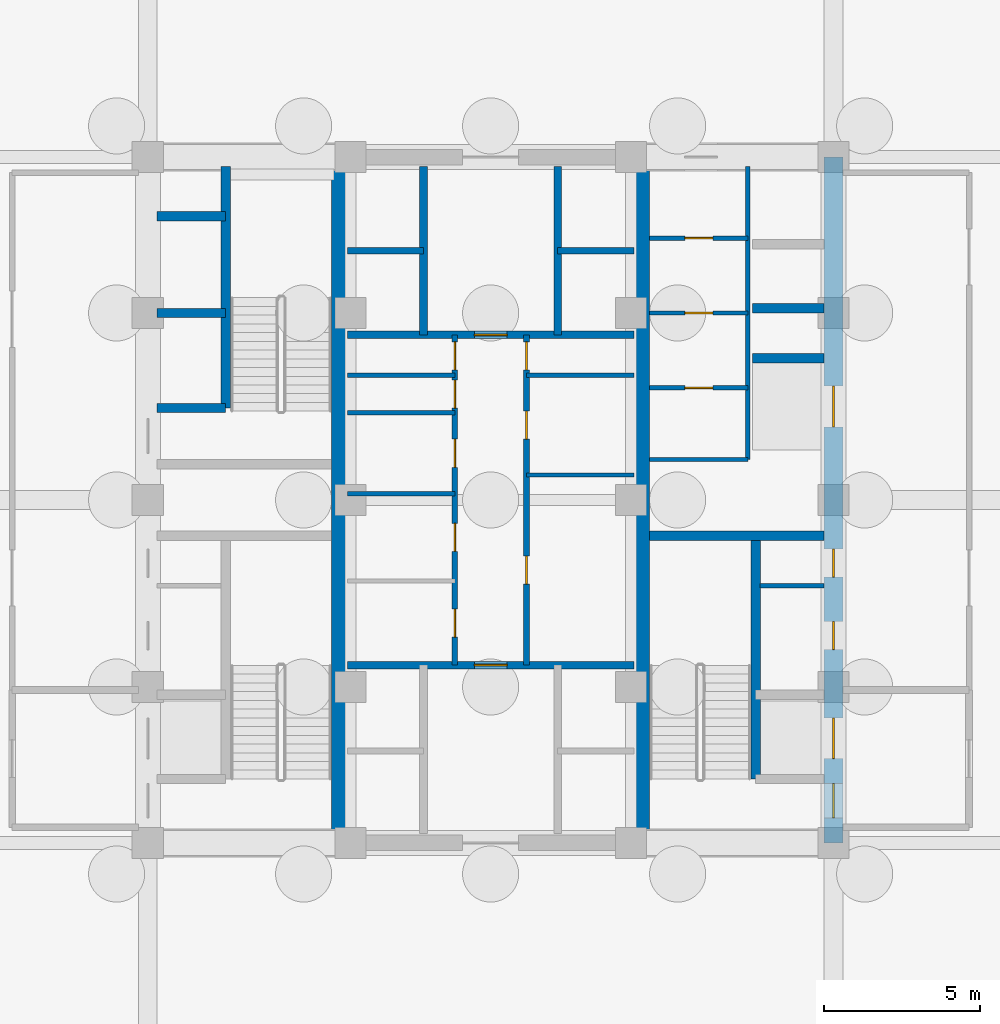
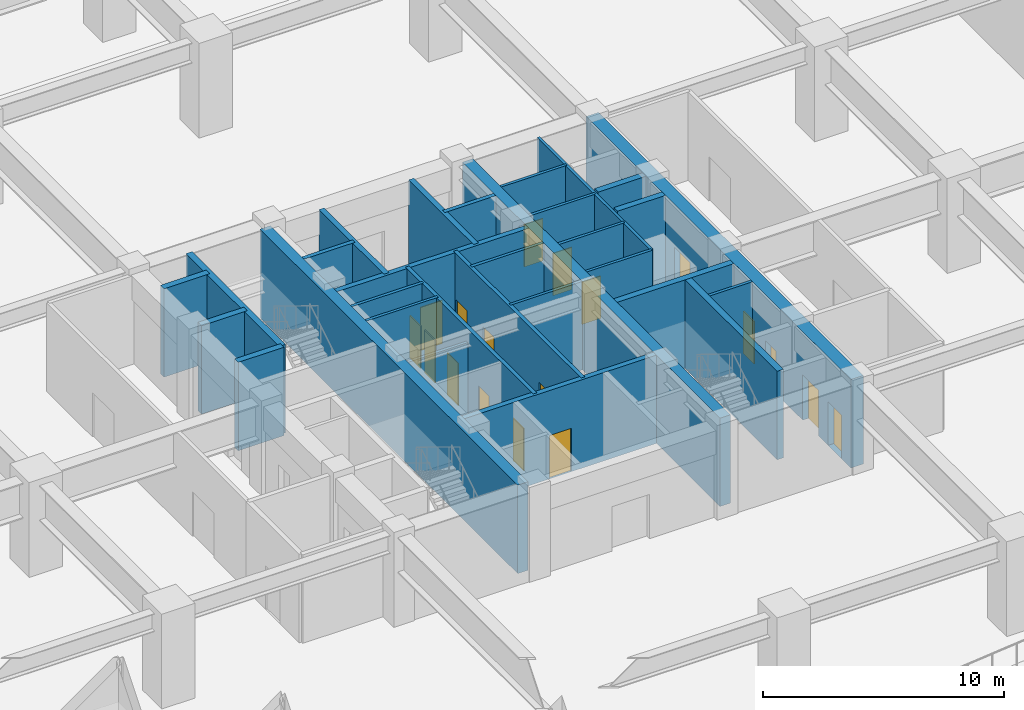
# One storey, part 6 of 13: 30 walls, 18 doors, 18 openings.
"""IFC4 building model written with IfcOpenShell, lengths in metres."""

from ifc_helpers import new_model, si_unit, direction, frame, frame_2d, origin, place, context, subcontext, project, spatial, rectangle, extrude, source, transform, mapped, material, layer, layer_set, type_object, element, fill, save


model = new_model("IFC4")

# Units and contexts
model_context = context("Model", 3, precision=1e-05, world=origin(), true_north=direction((0.0, 1.0)))
body_context = subcontext(model_context, "Body", "Model", "MODEL_VIEW")
ifc_project = project(units=[si_unit("LENGTHUNIT", "METRE"), si_unit("AREAUNIT", "SQUARE_METRE"), si_unit("VOLUMEUNIT", "CUBIC_METRE"), si_unit("PLANEANGLEUNIT", "RADIAN"), si_unit("MASSUNIT", "GRAM", prefix="KILO")], contexts=[model_context])

# Site, building, storey
site_placement = place(None, origin())
site = spatial("IfcSite", under=ifc_project, at=site_placement, CompositionType="ELEMENT")
building_placement = place(site_placement, origin())
building = spatial("IfcBuilding", under=site, at=building_placement, Name="Khorayat Bourse Tower", CompositionType="ELEMENT")
storey_placement = place(building_placement, frame((0.0, 0.0, -9.60009765625)))
storey = spatial("IfcBuildingStorey", under=building, at=storey_placement, Name="B02", CompositionType="ELEMENT", Elevation=-9.60009765625)

# Wall, openings, doors
ifc_material_1 = material(Name="Concrete C60/75", Category="concrete")
ifc_layer_1 = layer(ifc_material_1, 0.60009765625)
ifc_layer_set_1 = layer_set([ifc_layer_1], Name="Concrete C60/75")
wall_type_1 = type_object("IfcWallType", Name="WAL-CORE-600", PredefinedType="SHEAR", material=ifc_layer_set_1)
shared_shape_1 = source(origin(), body_context, "Body", "SweptSolid", [
    extrude(rectangle(XDim=22.0, YDim=0.60009765625, at=frame_2d((11.0, 0.0))), origin(), (0.0, 0.0, 1.0), 4.47998046875),
])
wall_1_placement = place(storey_placement, frame((11.0, -11.0, 0.0), z_axis=(0.0, 0.0, 1.0), x_axis=(0.0, 1.0, 0.0)))
wall_1 = element("IfcWall", 1, at=wall_1_placement, inside=storey, type_object=wall_type_1, Name="B02 Core Shear Wall CORE-E", PredefinedType="SHEAR", context=body_context, shape_type="MappedRepresentation", body=[
    mapped(shared_shape_1, transform((0.0, 0.0, 0.0), scale=1.0)),
])
shared_shape_2 = source(origin(), body_context, "Body", "SweptSolid", [
    extrude(rectangle(XDim=1.10009765625, YDim=2.199951171875, at=frame_2d((0.550048828125, 1.10009765625))), frame((0.0, 0.31005859375, 0.0), z_axis=(0.0, -1.0, 0.0), x_axis=(1.0, 0.0, 0.0)), (0.0, 0.0, 1.0), 0.6201171875),
])
opening_1_placement = place(wall_1_placement, frame((0.800048828125, 0.0, 0.0)))
opening_1 = element("IfcOpeningElement", 2, at=opening_1_placement, cuts=wall_1, Name="Opening DI-01", PredefinedType="OPENING", context=body_context, shape_type="MappedRepresentation", body=[
    mapped(shared_shape_2, transform((0.0, 0.0, 0.0), scale=1.0)),
])
shared_shape_3 = source(origin(), body_context, "Body", "SweptSolid", [
    extrude(rectangle(XDim=0.89990234375, YDim=2.14990234375, at=frame_2d((0.449951171875, 1.074951171875))), frame((0.0, 0.31005859375, 0.0), z_axis=(0.0, -1.0, 0.0), x_axis=(1.0, 0.0, 0.0)), (0.0, 0.0, 1.0), 0.6201171875),
])
opening_2_placement = place(wall_1_placement, frame((6.199951171875, 0.0, 0.0)))
opening_2 = element("IfcOpeningElement", 3, at=opening_2_placement, cuts=wall_1, Name="Opening DI-06", PredefinedType="OPENING", context=body_context, shape_type="MappedRepresentation", body=[
    mapped(shared_shape_3, transform((0.0, 0.0, 0.0), scale=1.0)),
])
opening_3_placement = place(wall_1_placement, frame((8.52490234375, 0.0, 0.0)))
opening_3 = element("IfcOpeningElement", 4, at=opening_3_placement, cuts=wall_1, Name="Opening DI-06", PredefinedType="OPENING", context=body_context, shape_type="MappedRepresentation", body=[
    mapped(shared_shape_3, transform((0.0, 0.0, 0.0), scale=1.0)),
])
shared_shape_4 = source(origin(), body_context, "Body", "SweptSolid", [
    extrude(rectangle(XDim=1.300048828125, YDim=2.300048828125, at=frame_2d((0.64990234375, 1.14990234375))), frame((0.0, 0.31005859375, 0.0), z_axis=(0.0, -1.0, 0.0), x_axis=(1.0, 0.0, 0.0)), (0.0, 0.0, 1.0), 0.6201171875),
])
opening_4_placement = place(wall_1_placement, frame((2.699951171875, 0.0, 0.0)))
opening_4 = element("IfcOpeningElement", 5, at=opening_4_placement, cuts=wall_1, Name="Opening LD-02", PredefinedType="OPENING", context=body_context, shape_type="MappedRepresentation", body=[
    mapped(shared_shape_4, transform((0.0, 0.0, 0.0), scale=1.0)),
])
opening_5_placement = place(wall_1_placement, frame((13.35009765625, 0.0, 0.0)))
opening_5 = element("IfcOpeningElement", 6, at=opening_5_placement, cuts=wall_1, Name="Opening LD-02", PredefinedType="OPENING", context=body_context, shape_type="MappedRepresentation", body=[
    mapped(shared_shape_4, transform((0.0, 0.0, 0.0), scale=1.0)),
])
ifc_material_2 = material(Name="Fire-rated steel acoustic leaf", Category="steel")
door_type_1 = type_object("IfcDoorType", Name="DR-INT-STAIR-1100", OperationType="NOTDEFINED", PredefinedType="DOOR", material=ifc_material_2)
shared_shape_5 = source(origin(), body_context, "Body", "SweptSolid", [
    extrude(rectangle(XDim=1.10009765625, YDim=2.199951171875, at=frame_2d((0.550048828125, 1.10009765625))), frame((0.0, 0.02490234375, 0.0), z_axis=(0.0, -1.0, 0.0), x_axis=(1.0, 0.0, 0.0)), (0.0, 0.0, 1.0), 0.050048828125),
])
door_1_placement = place(opening_1_placement, origin())
door_1 = element("IfcDoor", 7, at=door_1_placement, inside=storey, type_object=door_type_1, Name="B02 Exit Stair 3 Door", OperationType="SINGLE_SWING_LEFT", OverallHeight=2.199951171875, OverallWidth=1.10009765625, PredefinedType="DOOR", context=body_context, shape_type="MappedRepresentation", body=[
    mapped(shared_shape_5, transform((0.0, 0.0, 0.0), scale=1.0)),
])
fill(opening_1, door_1)
ifc_material_3 = material(Name="Moisture-resistant laminate washroom door")
door_type_2 = type_object("IfcDoorType", Name="DR-INT-WC-900", OperationType="NOTDEFINED", PredefinedType="DOOR", material=ifc_material_3)
shared_shape_6 = source(origin(), body_context, "Body", "SweptSolid", [
    extrude(rectangle(XDim=0.89990234375, YDim=2.14990234375, at=frame_2d((0.449951171875, 1.074951171875))), frame((0.0, 0.02490234375, 0.0), z_axis=(0.0, -1.0, 0.0), x_axis=(1.0, 0.0, 0.0)), (0.0, 0.0, 1.0), 0.050048828125),
])
door_2_placement = place(opening_2_placement, origin())
door_2 = element("IfcDoor", 8, at=door_2_placement, inside=storey, type_object=door_type_2, Name="B02 Telecom Closet Door", OperationType="SINGLE_SWING_LEFT", OverallHeight=2.14990234375, OverallWidth=0.89990234375, PredefinedType="DOOR", context=body_context, shape_type="MappedRepresentation", body=[
    mapped(shared_shape_6, transform((0.0, 0.0, 0.0), scale=1.0)),
])
fill(opening_2, door_2)
door_3_placement = place(opening_3_placement, origin())
door_3 = element("IfcDoor", 9, at=door_3_placement, inside=storey, type_object=door_type_2, Name="B02 Stationery Store Door", OperationType="SINGLE_SWING_RIGHT", OverallHeight=2.14990234375, OverallWidth=0.89990234375, PredefinedType="DOOR", context=body_context, shape_type="MappedRepresentation", body=[
    mapped(shared_shape_6, transform((0.0, 0.0, 0.0), scale=1.0)),
])
fill(opening_3, door_3)
ifc_material_4 = material(Name="Fire-rated stainless-steel sliding landing door", Category="steel")
door_type_3 = type_object("IfcDoorType", Name="DR-LIFT-FF-1300", OperationType="NOTDEFINED", PredefinedType="DOOR", material=ifc_material_4)
shared_shape_7 = source(origin(), body_context, "Body", "SweptSolid", [
    extrude(rectangle(XDim=1.300048828125, YDim=2.300048828125, at=frame_2d((0.64990234375, 1.14990234375))), frame((0.0, 0.02490234375, 0.0), z_axis=(0.0, -1.0, 0.0), x_axis=(1.0, 0.0, 0.0)), (0.0, 0.0, 1.0), 0.050048828125),
])
door_4_placement = place(opening_4_placement, origin())
door_4 = element("IfcDoor", 10, at=door_4_placement, inside=storey, type_object=door_type_3, Name="B02 Lift FFL-02 Sliding Landing Door", OperationType="SLIDING_TO_LEFT", OverallHeight=2.300048828125, OverallWidth=1.300048828125, PredefinedType="DOOR", context=body_context, shape_type="MappedRepresentation", body=[
    mapped(shared_shape_7, transform((0.0, 0.0, 0.0), scale=1.0)),
])
fill(opening_4, door_4)
door_5_placement = place(opening_5_placement, origin())
door_5 = element("IfcDoor", 11, at=door_5_placement, inside=storey, type_object=door_type_3, Name="B02 Lift SVL-01 Sliding Landing Door", OperationType="SLIDING_TO_LEFT", OverallHeight=2.300048828125, OverallWidth=1.300048828125, PredefinedType="DOOR", context=body_context, shape_type="MappedRepresentation", body=[
    mapped(shared_shape_7, transform((0.0, 0.0, 0.0), scale=1.0)),
])
fill(opening_5, door_5)

# Walls
ifc_material_5 = material(Name="Concrete C52/65", Category="concrete")
ifc_layer_2 = layer(ifc_material_5, 0.5)
ifc_layer_set_2 = layer_set([ifc_layer_2], Name="Concrete C52/65")
wall_type_2 = type_object("IfcWallType", Name="WAL-CORE-500", PredefinedType="SHEAR", material=ifc_layer_set_2)
shared_shape_8 = source(origin(), body_context, "Body", "SweptSolid", [
    extrude(rectangle(XDim=21.39990234375, YDim=0.5, at=frame_2d((10.699951171875, 0.0))), origin(), (0.0, 0.0, 1.0), 4.47998046875),
])
for number, where, z_axis, x_axis, name in (
    (12, (-4.85009765625, -10.699951171875, 0.0), (0.0, 0.0, 1.0), (0.0, 1.0, 0.0), "B02 Core Shear Wall PIER-W"),
    (13, (4.85009765625, -10.699951171875, 0.0), (0.0, 0.0, 1.0), (0.0, 1.0, 0.0), "B02 Core Shear Wall PIER-E"),
):
    element("IfcWall", number, at=place(storey_placement, frame(where, z_axis=z_axis, x_axis=x_axis)), inside=storey, type_object=wall_type_2, Name=name, PredefinedType="SHEAR", context=body_context, shape_type="MappedRepresentation", body=[
        mapped(shared_shape_8, transform((0.0, 0.0, 0.0), scale=1.0)),
    ])
ifc_material_6 = material(Name="Concrete C50/60", Category="concrete")
ifc_layer_3 = layer(ifc_material_6, 0.300048828125)
ifc_layer_set_3 = layer_set([ifc_layer_3], Name="Concrete C50/60")
wall_type_3 = type_object("IfcWallType", Name="WAL-SHAFT-300", PredefinedType="SHEAR", material=ifc_layer_set_3)
shared_shape_9 = source(origin(), body_context, "Body", "SweptSolid", [
    extrude(rectangle(XDim=5.599853515625, YDim=0.300048828125, at=frame_2d((2.7998046875, 0.0))), origin(), (0.0, 0.0, 1.0), 4.47998046875),
])
wall_2_placement = place(storey_placement, frame((5.10009765625, -1.14990234375, 0.0), z_axis=(0.0, 0.0, 1.0), x_axis=(1.0, 0.0, 0.0)))
element("IfcWall", 14, at=wall_2_placement, inside=storey, type_object=wall_type_3, Name="B02 Core Shear Wall ST3-DIV", PredefinedType="SHEAR", context=body_context, shape_type="MappedRepresentation", body=[
    mapped(shared_shape_9, transform((0.0, 0.0, 0.0), scale=1.0)),
])
shared_shape_10 = source(origin(), body_context, "Body", "SweptSolid", [
    extrude(rectangle(XDim=7.800048828125, YDim=0.300048828125, at=frame_2d((3.89990234375, 0.0))), origin(), (0.0, 0.0, 1.0), 4.47998046875),
])
wall_3_placement = place(storey_placement, frame((8.5, -8.949951171875, 0.0), z_axis=(0.0, 0.0, 1.0), x_axis=(0.0, 1.0, 0.0)))
element("IfcWall", 15, at=wall_3_placement, inside=storey, type_object=wall_type_3, Name="B02 Partition WAL-B02-EPIER-SP", PredefinedType="SHEAR", context=body_context, shape_type="MappedRepresentation", body=[
    mapped(shared_shape_10, transform((0.0, 0.0, 0.0), scale=1.0)),
])
shared_shape_11 = source(origin(), body_context, "Body", "SweptSolid", [
    extrude(rectangle(XDim=2.199951171875, YDim=0.300048828125, at=frame_2d((1.10009765625, 0.0))), origin(), (0.0, 0.0, 1.0), 4.47998046875),
])
for number, where, z_axis, x_axis, name in (
    (16, (-10.699951171875, 2.949951171875, 0.0), (0.0, 0.0, 1.0), (1.0, 0.0, 0.0), "B02 Partition WAL-B02-WPIER-H1S"),
    (17, (-10.699951171875, 6.0, 0.0), (0.0, 0.0, 1.0), (1.0, 0.0, 0.0), "B02 Partition WAL-B02-WPIER-H12"),
    (18, (-10.699951171875, 9.10009765625, 0.0), (0.0, 0.0, 1.0), (1.0, 0.0, 0.0), "B02 Partition WAL-B02-WPIER-H2N"),
):
    element("IfcWall", number, at=place(storey_placement, frame(where, z_axis=z_axis, x_axis=x_axis)), inside=storey, type_object=wall_type_3, Name=name, PredefinedType="SHEAR", context=body_context, shape_type="MappedRepresentation", body=[
        mapped(shared_shape_11, transform((0.0, 0.0, 0.0), scale=1.0)),
    ])
shared_shape_12 = source(origin(), body_context, "Body", "SweptSolid", [
    extrude(rectangle(XDim=7.75, YDim=0.300048828125, at=frame_2d((3.875, 0.0))), origin(), (0.0, 0.0, 1.0), 4.47998046875),
])
wall_4_placement = place(storey_placement, frame((-8.5, 2.949951171875, 0.0), z_axis=(0.0, 0.0, 1.0), x_axis=(0.0, 1.0, 0.0)))
element("IfcWall", 19, at=wall_4_placement, inside=storey, type_object=wall_type_3, Name="B02 Partition WAL-B02-WPIER-ST2S", PredefinedType="SHEAR", context=body_context, shape_type="MappedRepresentation", body=[
    mapped(shared_shape_12, transform((0.0, 0.0, 0.0), scale=1.0)),
])
shared_shape_13 = source(origin(), body_context, "Body", "SweptSolid", [
    extrude(rectangle(XDim=2.300048828125, YDim=0.300048828125, at=frame_2d((1.14990234375, 0.0))), origin(), (0.0, 0.0, 1.0), 4.47998046875),
])
for number, where, z_axis, x_axis, name in (
    (20, (8.39990234375, 4.550048828125, 0.0), (0.0, 0.0, 1.0), (1.0, 0.0, 0.0), "B02 Partition WAL-B02-EPIER-SVLN"),
    (21, (8.39990234375, 6.14990234375, 0.0), (0.0, 0.0, 1.0), (1.0, 0.0, 0.0), "B02 Partition WAL-B02-EPIER-H3S"),
):
    element("IfcWall", number, at=place(storey_placement, frame(where, z_axis=z_axis, x_axis=x_axis)), inside=storey, type_object=wall_type_3, Name=name, PredefinedType="SHEAR", context=body_context, shape_type="MappedRepresentation", body=[
        mapped(shared_shape_13, transform((0.0, 0.0, 0.0), scale=1.0)),
    ])
ifc_material_7 = material(Name="Gypsum plasterboard twin-frame partition")
ifc_layer_4 = layer(ifc_material_7, 0.14990234375)
ifc_layer_set_4 = layer_set([ifc_layer_4], Name="Gypsum plasterboard twin-frame partition")
wall_type_4 = type_object("IfcWallType", Name="WAL-PART-SUITE-150", PredefinedType="PARTITIONING", material=ifc_layer_set_4)
shared_shape_14 = source(origin(), body_context, "Body", "SweptSolid", [
    extrude(rectangle(XDim=2.050048828125, YDim=0.14990234375, at=frame_2d((1.02490234375, 0.0))), origin(), (0.0, 0.0, 1.0), 4.47998046875),
])
wall_5_placement = place(storey_placement, frame((8.64990234375, -2.75, 0.0), z_axis=(0.0, 0.0, 1.0), x_axis=(1.0, 0.0, 0.0)))
element("IfcWall", 22, at=wall_5_placement, inside=storey, type_object=wall_type_4, Name="B02 Partition WAL-B02-ESRV-D1", PredefinedType="PARTITIONING", context=body_context, shape_type="MappedRepresentation", body=[
    mapped(shared_shape_14, transform((0.0, 0.0, 0.0), scale=1.0)),
])
ifc_material_8 = material(Name="Moisture-resistant masonry partition", Category="masonry")
ifc_layer_5 = layer(ifc_material_8, 0.139892578125)
ifc_layer_set_5 = layer_set([ifc_layer_5], Name="Moisture-resistant masonry partition")
wall_type_5 = type_object("IfcWallType", Name="WAL-PART-WET-140", PredefinedType="PARTITIONING", material=ifc_layer_set_5)
shared_shape_15 = source(origin(), body_context, "Body", "SweptSolid", [
    extrude(rectangle(XDim=9.39990234375, YDim=0.139892578125, at=frame_2d((4.699951171875, 0.0))), origin(), (0.0, 0.0, 1.0), 4.47998046875),
])
wall_6_placement = place(storey_placement, frame((8.25, 1.300048828125, 0.0), z_axis=(0.0, 0.0, 1.0), x_axis=(0.0, 1.0, 0.0)))
element("IfcWall", 23, at=wall_6_placement, inside=storey, type_object=wall_type_5, Name="B02 Partition WAL-B02-ECORE-E", PredefinedType="PARTITIONING", context=body_context, shape_type="MappedRepresentation", body=[
    mapped(shared_shape_15, transform((0.0, 0.0, 0.0), scale=1.0)),
])
shared_shape_16 = source(origin(), body_context, "Body", "SweptSolid", [
    extrude(rectangle(XDim=3.14990234375, YDim=0.139892578125, at=frame_2d((1.574951171875, 0.0))), origin(), (0.0, 0.0, 1.0), 4.47998046875),
])
wall_7_placement = place(storey_placement, frame((5.10009765625, 1.300048828125, 0.0), z_axis=(0.0, 0.0, 1.0), x_axis=(1.0, 0.0, 0.0)))
element("IfcWall", 24, at=wall_7_placement, inside=storey, type_object=wall_type_5, Name="B02 Partition WAL-B02-ECORE-S", PredefinedType="PARTITIONING", context=body_context, shape_type="MappedRepresentation", body=[
    mapped(shared_shape_16, transform((0.0, 0.0, 0.0), scale=1.0)),
])

# Wall, opening, door
wall_8_placement = place(storey_placement, frame((5.10009765625, 8.39990234375, 0.0), z_axis=(0.0, 0.0, 1.0), x_axis=(1.0, 0.0, 0.0)))
wall_8 = element("IfcWall", 25, at=wall_8_placement, inside=storey, type_object=wall_type_5, Name="B02 Partition WAL-B02-ECW-TOP", PredefinedType="PARTITIONING", context=body_context, shape_type="MappedRepresentation", body=[
    mapped(shared_shape_16, transform((0.0, 0.0, 0.0), scale=1.0)),
])
shared_shape_17 = source(origin(), body_context, "Body", "SweptSolid", [
    extrude(rectangle(XDim=0.89990234375, YDim=2.14990234375, at=frame_2d((0.449951171875, 1.074951171875))), frame((0.0, 0.079833984375, 0.0), z_axis=(0.0, -1.0, 0.0), x_axis=(1.0, 0.0, 0.0)), (0.0, 0.0, 1.0), 0.159912109375),
])
opening_6_placement = place(wall_8_placement, frame((1.1298828125, 0.0, 0.0)))
opening_6 = element("IfcOpeningElement", 26, at=opening_6_placement, cuts=wall_8, Name="Opening DI-06", PredefinedType="OPENING", context=body_context, shape_type="MappedRepresentation", body=[
    mapped(shared_shape_17, transform((0.0, 0.0, 0.0), scale=1.0)),
])
door_6_placement = place(opening_6_placement, origin())
door_6 = element("IfcDoor", 27, at=door_6_placement, inside=storey, type_object=door_type_2, Name="B02 Accessible WC Door", OperationType="SINGLE_SWING_LEFT", OverallHeight=2.14990234375, OverallWidth=0.89990234375, PredefinedType="DOOR", context=body_context, shape_type="MappedRepresentation", body=[
    mapped(shared_shape_6, transform((0.0, 0.0, 0.0), scale=1.0)),
])
fill(opening_6, door_6)

wall_9_placement = place(storey_placement, frame((5.10009765625, 6.0, 0.0), z_axis=(0.0, 0.0, 1.0), x_axis=(1.0, 0.0, 0.0)))
wall_9 = element("IfcWall", 28, at=wall_9_placement, inside=storey, type_object=wall_type_5, Name="B02 Partition WAL-B02-ECW-H1", PredefinedType="PARTITIONING", context=body_context, shape_type="MappedRepresentation", body=[
    mapped(shared_shape_16, transform((0.0, 0.0, 0.0), scale=1.0)),
])
opening_7_placement = place(wall_9_placement, frame((1.1298828125, 0.0, 0.0)))
opening_7 = element("IfcOpeningElement", 29, at=opening_7_placement, cuts=wall_9, Name="Opening DI-06", PredefinedType="OPENING", context=body_context, shape_type="MappedRepresentation", body=[
    mapped(shared_shape_17, transform((0.0, 0.0, 0.0), scale=1.0)),
])
door_7_placement = place(opening_7_placement, origin())
door_7 = element("IfcDoor", 30, at=door_7_placement, inside=storey, type_object=door_type_2, Name="B02 Shared Washroom Door", OperationType="SINGLE_SWING_RIGHT", OverallHeight=2.14990234375, OverallWidth=0.89990234375, PredefinedType="DOOR", context=body_context, shape_type="MappedRepresentation", body=[
    mapped(shared_shape_6, transform((0.0, 0.0, 0.0), scale=1.0)),
])
fill(opening_7, door_7)

wall_10_placement = place(storey_placement, frame((5.10009765625, 3.60009765625, 0.0), z_axis=(0.0, 0.0, 1.0), x_axis=(1.0, 0.0, 0.0)))
wall_10 = element("IfcWall", 31, at=wall_10_placement, inside=storey, type_object=wall_type_5, Name="B02 Partition WAL-B02-ECW-H2", PredefinedType="PARTITIONING", context=body_context, shape_type="MappedRepresentation", body=[
    mapped(shared_shape_16, transform((0.0, 0.0, 0.0), scale=1.0)),
])
opening_8_placement = place(wall_10_placement, frame((1.1298828125, 0.0, 0.0)))
opening_8 = element("IfcOpeningElement", 32, at=opening_8_placement, cuts=wall_10, Name="Opening DI-06", PredefinedType="OPENING", context=body_context, shape_type="MappedRepresentation", body=[
    mapped(shared_shape_17, transform((0.0, 0.0, 0.0), scale=1.0)),
])
door_8_placement = place(opening_8_placement, origin())
door_8 = element("IfcDoor", 33, at=door_8_placement, inside=storey, type_object=door_type_2, Name="B02 Staff Washroom Door", OperationType="SINGLE_SWING_LEFT", OverallHeight=2.14990234375, OverallWidth=0.89990234375, PredefinedType="DOOR", context=body_context, shape_type="MappedRepresentation", body=[
    mapped(shared_shape_6, transform((0.0, 0.0, 0.0), scale=1.0)),
])
fill(opening_8, door_8)

# Walls
shared_shape_18 = source(origin(), body_context, "Body", "SweptSolid", [
    extrude(rectangle(XDim=3.4501953125, YDim=0.14990234375, at=frame_2d((1.72509765625, 0.0))), origin(), (0.0, 0.0, 1.0), 4.47998046875),
])
for number, where, z_axis, x_axis, name in (
    (34, (-4.60009765625, 4.0, 0.0), (0.0, 0.0, 1.0), (1.0, 0.0, 0.0), "B02 Partition WAL-B02-CRSW-S"),
    (35, (1.14990234375, 4.0, 0.0), (0.0, 0.0, 1.0), (1.0, 0.0, 0.0), "B02 Partition WAL-B02-CRSE-S"),
):
    element("IfcWall", number, at=place(storey_placement, frame(where, z_axis=z_axis, x_axis=x_axis)), inside=storey, type_object=wall_type_4, Name=name, PredefinedType="PARTITIONING", context=body_context, shape_type="MappedRepresentation", body=[
        mapped(shared_shape_18, transform((0.0, 0.0, 0.0), scale=1.0)),
    ])
shared_shape_19 = source(origin(), body_context, "Body", "SweptSolid", [
    extrude(rectangle(XDim=5.39990234375, YDim=0.25, at=frame_2d((2.699951171875, 0.0))), origin(), (0.0, 0.0, 1.0), 4.47998046875),
])
for number, where, z_axis, x_axis, name in (
    (36, (-2.14990234375, 5.300048828125, 0.0), (0.0, 0.0, 1.0), (0.0, 1.0, 0.0), "B02 Partition WAL-B02-B2-W"),
    (37, (2.14990234375, 5.300048828125, 0.0), (0.0, 0.0, 1.0), (0.0, 1.0, 0.0), "B02 Partition WAL-B02-B2-E"),
):
    element("IfcWall", number, at=place(storey_placement, frame(where, z_axis=z_axis, x_axis=x_axis)), inside=storey, type_object=wall_type_3, Name=name, PredefinedType="SHEAR", context=body_context, shape_type="MappedRepresentation", body=[
        mapped(shared_shape_19, transform((0.0, 0.0, 0.0), scale=1.0)),
    ])
shared_shape_20 = source(origin(), body_context, "Body", "SweptSolid", [
    extrude(rectangle(XDim=2.4501953125, YDim=0.199951171875, at=frame_2d((1.22509765625, 0.0))), origin(), (0.0, 0.0, 1.0), 4.47998046875),
])
for number, where, z_axis, x_axis, name in (
    (38, (-4.60009765625, 8.0, 0.0), (0.0, 0.0, 1.0), (1.0, 0.0, 0.0), "B02 Partition WAL-B02-B2-MW"),
    (39, (2.14990234375, 8.0, 0.0), (0.0, 0.0, 1.0), (1.0, 0.0, 0.0), "B02 Partition WAL-B02-B2-ME"),
):
    element("IfcWall", number, at=place(storey_placement, frame(where, z_axis=z_axis, x_axis=x_axis)), inside=storey, type_object=wall_type_3, Name=name, PredefinedType="SHEAR", context=body_context, shape_type="MappedRepresentation", body=[
        mapped(shared_shape_20, transform((0.0, 0.0, 0.0), scale=1.0)),
    ])

# Wall, opening, door
shared_shape_21 = source(origin(), body_context, "Body", "SweptSolid", [
    extrude(rectangle(XDim=9.2001953125, YDim=0.25, at=frame_2d((4.60009765625, 0.0))), origin(), (0.0, 0.0, 1.0), 4.47998046875),
])
wall_11_placement = place(storey_placement, frame((-4.60009765625, -5.300048828125, 0.0), z_axis=(0.0, 0.0, 1.0), x_axis=(1.0, 0.0, 0.0)))
wall_11 = element("IfcWall", 40, at=wall_11_placement, inside=storey, type_object=wall_type_3, Name="B02 Partition WAL-B02-B1-N", PredefinedType="SHEAR", context=body_context, shape_type="MappedRepresentation", body=[
    mapped(shared_shape_21, transform((0.0, 0.0, 0.0), scale=1.0)),
])
shared_shape_22 = source(origin(), body_context, "Body", "SweptSolid", [
    extrude(rectangle(XDim=1.050048828125, YDim=2.199951171875, at=frame_2d((0.52490234375, 1.10009765625))), frame((0.0, 0.135009765625, 0.0), z_axis=(0.0, -1.0, 0.0), x_axis=(1.0, 0.0, 0.0)), (0.0, 0.0, 1.0), 0.27001953125),
])
opening_9_placement = place(wall_11_placement, frame((4.074951171875, 0.0, 0.0)))
opening_9 = element("IfcOpeningElement", 41, at=opening_9_placement, cuts=wall_11, Name="Opening DI-04", PredefinedType="OPENING", context=body_context, shape_type="MappedRepresentation", body=[
    mapped(shared_shape_22, transform((0.0, 0.0, 0.0), scale=1.0)),
])
ifc_material_9 = material(Name="Fire-rated oak veneer suite entrance door")
door_type_4 = type_object("IfcDoorType", Name="DR-INT-SUITE-1050", OperationType="NOTDEFINED", PredefinedType="DOOR", material=ifc_material_9)
shared_shape_23 = source(origin(), body_context, "Body", "SweptSolid", [
    extrude(rectangle(XDim=1.050048828125, YDim=2.199951171875, at=frame_2d((0.52490234375, 1.10009765625))), frame((0.0, 0.02490234375, 0.0), z_axis=(0.0, -1.0, 0.0), x_axis=(1.0, 0.0, 0.0)), (0.0, 0.0, 1.0), 0.050048828125),
])
door_9_placement = place(opening_9_placement, origin())
door_9 = element("IfcDoor", 42, at=door_9_placement, inside=storey, type_object=door_type_4, Name="B02 Core Spine South Door", OperationType="SINGLE_SWING_LEFT", OverallHeight=2.199951171875, OverallWidth=1.050048828125, PredefinedType="DOOR", context=body_context, shape_type="MappedRepresentation", body=[
    mapped(shared_shape_23, transform((0.0, 0.0, 0.0), scale=1.0)),
])
fill(opening_9, door_9)

wall_12_placement = place(storey_placement, frame((-4.60009765625, 5.300048828125, 0.0), z_axis=(0.0, 0.0, 1.0), x_axis=(1.0, 0.0, 0.0)))
wall_12 = element("IfcWall", 43, at=wall_12_placement, inside=storey, type_object=wall_type_3, Name="B02 Partition WAL-B02-B2-S", PredefinedType="SHEAR", context=body_context, shape_type="MappedRepresentation", body=[
    mapped(shared_shape_21, transform((0.0, 0.0, 0.0), scale=1.0)),
])
opening_10_placement = place(wall_12_placement, frame((4.074951171875, 0.0, 0.0)))
opening_10 = element("IfcOpeningElement", 44, at=opening_10_placement, cuts=wall_12, Name="Opening DI-04", PredefinedType="OPENING", context=body_context, shape_type="MappedRepresentation", body=[
    mapped(shared_shape_22, transform((0.0, 0.0, 0.0), scale=1.0)),
])
door_10_placement = place(opening_10_placement, origin())
door_10 = element("IfcDoor", 45, at=door_10_placement, inside=storey, type_object=door_type_4, Name="B02 Core Spine North Door", OperationType="SINGLE_SWING_RIGHT", OverallHeight=2.199951171875, OverallWidth=1.050048828125, PredefinedType="DOOR", context=body_context, shape_type="MappedRepresentation", body=[
    mapped(shared_shape_23, transform((0.0, 0.0, 0.0), scale=1.0)),
])
fill(opening_10, door_10)

# Walls
shared_shape_24 = source(origin(), body_context, "Body", "SweptSolid", [
    extrude(rectangle(XDim=3.4501953125, YDim=0.139892578125, at=frame_2d((1.72509765625, 0.0))), origin(), (0.0, 0.0, 1.0), 4.47998046875),
])
for number, where, z_axis, x_axis, name in (
    (46, (-4.60009765625, 2.800048828125, 0.0), (0.0, 0.0, 1.0), (1.0, 0.0, 0.0), "B02 Partition WAL-B02-CMW-D3"),
    (47, (1.14990234375, 0.800048828125, 0.0), (0.0, 0.0, 1.0), (1.0, 0.0, 0.0), "B02 Partition WAL-B02-CME-D1"),
):
    element("IfcWall", number, at=place(storey_placement, frame(where, z_axis=z_axis, x_axis=x_axis)), inside=storey, type_object=wall_type_5, Name=name, PredefinedType="PARTITIONING", context=body_context, shape_type="MappedRepresentation", body=[
        mapped(shared_shape_24, transform((0.0, 0.0, 0.0), scale=1.0)),
    ])
shared_shape_25 = source(origin(), body_context, "Body", "SweptSolid", [
    extrude(rectangle(XDim=3.4501953125, YDim=0.139892578125, at=frame_2d((1.72509765625, 0.0))), origin(), (0.0, 0.0, 1.0), 3.78515625),
])
wall_13_placement = place(storey_placement, frame((-4.60009765625, 0.199951171875, 0.0), z_axis=(0.0, 0.0, 1.0), x_axis=(1.0, 0.0, 0.0)))
element("IfcWall", 48, at=wall_13_placement, inside=storey, type_object=wall_type_5, Name="B02 Partition WAL-B02-CMW-D2", PredefinedType="PARTITIONING", context=body_context, shape_type="MappedRepresentation", body=[
    mapped(shared_shape_25, transform((0.0, 0.0, 0.0), scale=1.0)),
])

# Wall, openings, doors
ifc_material_10 = material(Name="Gypsum plasterboard acoustic stud wall")
ifc_layer_6 = layer(ifc_material_10, 0.179931640625)
ifc_layer_set_6 = layer_set([ifc_layer_6], Name="Gypsum plasterboard acoustic stud wall")
wall_type_6 = type_object("IfcWallType", Name="WAL-PART-CORR-180", PredefinedType="PARTITIONING", material=ifc_layer_set_6)
shared_shape_26 = source(origin(), body_context, "Body", "SweptSolid", [
    extrude(rectangle(XDim=10.60009765625, YDim=0.179931640625, at=frame_2d((5.300048828125, 0.0))), origin(), (0.0, 0.0, 1.0), 4.47998046875),
])
wall_14_placement = place(storey_placement, frame((-1.14990234375, -5.300048828125, 0.0), z_axis=(0.0, 0.0, 1.0), x_axis=(0.0, 1.0, 0.0)))
wall_14 = element("IfcWall", 49, at=wall_14_placement, inside=storey, type_object=wall_type_6, Name="B02 Partition WAL-B02-CMW-L", PredefinedType="PARTITIONING", context=body_context, shape_type="MappedRepresentation", body=[
    mapped(shared_shape_26, transform((0.0, 0.0, 0.0), scale=1.0)),
])
shared_shape_27 = source(origin(), body_context, "Body", "SweptSolid", [
    extrude(rectangle(XDim=0.89990234375, YDim=2.14990234375, at=frame_2d((0.449951171875, 1.074951171875))), frame((0.0, 0.099853515625, 0.0), z_axis=(0.0, -1.0, 0.0), x_axis=(1.0, 0.0, 0.0)), (0.0, 0.0, 1.0), 0.199951171875),
])
opening_11_placement = place(wall_14_placement, frame((0.89990234375, 0.0, 0.0)))
opening_11 = element("IfcOpeningElement", 50, at=opening_11_placement, cuts=wall_14, Name="Opening DI-06", PredefinedType="OPENING", context=body_context, shape_type="MappedRepresentation", body=[
    mapped(shared_shape_27, transform((0.0, 0.0, 0.0), scale=1.0)),
])
opening_12_placement = place(wall_14_placement, frame((3.64990234375, 0.0, 0.0)))
opening_12 = element("IfcOpeningElement", 51, at=opening_12_placement, cuts=wall_14, Name="Opening DI-06", PredefinedType="OPENING", context=body_context, shape_type="MappedRepresentation", body=[
    mapped(shared_shape_27, transform((0.0, 0.0, 0.0), scale=1.0)),
])
opening_13_placement = place(wall_14_placement, frame((6.35009765625, 0.0, 0.0)))
opening_13 = element("IfcOpeningElement", 52, at=opening_13_placement, cuts=wall_14, Name="Opening DI-06", PredefinedType="OPENING", context=body_context, shape_type="MappedRepresentation", body=[
    mapped(shared_shape_27, transform((0.0, 0.0, 0.0), scale=1.0)),
])
opening_14_placement = place(wall_14_placement, frame((8.25, 0.0, 0.0)))
opening_14 = element("IfcOpeningElement", 53, at=opening_14_placement, cuts=wall_14, Name="Opening DI-06", PredefinedType="OPENING", context=body_context, shape_type="MappedRepresentation", body=[
    mapped(shared_shape_27, transform((0.0, 0.0, 0.0), scale=1.0)),
])
opening_15_placement = place(wall_14_placement, frame((9.47509765625, 0.0, 0.0)))
opening_15 = element("IfcOpeningElement", 54, at=opening_15_placement, cuts=wall_14, Name="Opening DI-06", PredefinedType="OPENING", context=body_context, shape_type="MappedRepresentation", body=[
    mapped(shared_shape_27, transform((0.0, 0.0, 0.0), scale=1.0)),
])
door_11_placement = place(opening_11_placement, origin())
door_11 = element("IfcDoor", 55, at=door_11_placement, inside=storey, type_object=door_type_2, Name="B02 Cleaners Store Door", OperationType="SINGLE_SWING_RIGHT", OverallHeight=2.14990234375, OverallWidth=0.89990234375, PredefinedType="DOOR", context=body_context, shape_type="MappedRepresentation", body=[
    mapped(shared_shape_6, transform((0.0, 0.0, 0.0), scale=1.0)),
])
fill(opening_11, door_11)
door_12_placement = place(opening_12_placement, origin())
door_12 = element("IfcDoor", 56, at=door_12_placement, inside=storey, type_object=door_type_2, Name="B02 Male Core Washroom Door", OperationType="SINGLE_SWING_LEFT", OverallHeight=2.14990234375, OverallWidth=0.89990234375, PredefinedType="DOOR", context=body_context, shape_type="MappedRepresentation", body=[
    mapped(shared_shape_6, transform((0.0, 0.0, 0.0), scale=1.0)),
])
fill(opening_12, door_12)
door_13_placement = place(opening_13_placement, origin())
door_13 = element("IfcDoor", 57, at=door_13_placement, inside=storey, type_object=door_type_2, Name="B02 Electrical Closet Door", OperationType="SINGLE_SWING_RIGHT", OverallHeight=2.14990234375, OverallWidth=0.89990234375, PredefinedType="DOOR", context=body_context, shape_type="MappedRepresentation", body=[
    mapped(shared_shape_6, transform((0.0, 0.0, 0.0), scale=1.0)),
])
fill(opening_13, door_13)
door_14_placement = place(opening_14_placement, origin())
door_14 = element("IfcDoor", 58, at=door_14_placement, inside=storey, type_object=door_type_2, Name="B02 Archive Cupboard Door", OperationType="SINGLE_SWING_LEFT", OverallHeight=2.14990234375, OverallWidth=0.89990234375, PredefinedType="DOOR", context=body_context, shape_type="MappedRepresentation", body=[
    mapped(shared_shape_6, transform((0.0, 0.0, 0.0), scale=1.0)),
])
fill(opening_14, door_14)
door_15_placement = place(opening_15_placement, origin())
door_15 = element("IfcDoor", 59, at=door_15_placement, inside=storey, type_object=door_type_2, Name="B02 West Core Riser Door", OperationType="SINGLE_SWING_LEFT", OverallHeight=2.14990234375, OverallWidth=0.89990234375, PredefinedType="DOOR", context=body_context, shape_type="MappedRepresentation", body=[
    mapped(shared_shape_6, transform((0.0, 0.0, 0.0), scale=1.0)),
])
fill(opening_15, door_15)

wall_15_placement = place(storey_placement, frame((1.14990234375, -5.300048828125, 0.0), z_axis=(0.0, 0.0, 1.0), x_axis=(0.0, 1.0, 0.0)))
wall_15 = element("IfcWall", 60, at=wall_15_placement, inside=storey, type_object=wall_type_6, Name="B02 Partition WAL-B02-CME-L", PredefinedType="PARTITIONING", context=body_context, shape_type="MappedRepresentation", body=[
    mapped(shared_shape_26, transform((0.0, 0.0, 0.0), scale=1.0)),
])
opening_16_placement = place(wall_15_placement, frame((2.60009765625, 0.0, 0.0)))
opening_16 = element("IfcOpeningElement", 61, at=opening_16_placement, cuts=wall_15, Name="Opening DI-06", PredefinedType="OPENING", context=body_context, shape_type="MappedRepresentation", body=[
    mapped(shared_shape_27, transform((0.0, 0.0, 0.0), scale=1.0)),
])
opening_17_placement = place(wall_15_placement, frame((7.25, 0.0, 0.0)))
opening_17 = element("IfcOpeningElement", 62, at=opening_17_placement, cuts=wall_15, Name="Opening DI-06", PredefinedType="OPENING", context=body_context, shape_type="MappedRepresentation", body=[
    mapped(shared_shape_27, transform((0.0, 0.0, 0.0), scale=1.0)),
])
opening_18_placement = place(wall_15_placement, frame((9.47509765625, 0.0, 0.0)))
opening_18 = element("IfcOpeningElement", 63, at=opening_18_placement, cuts=wall_15, Name="Opening DI-06", PredefinedType="OPENING", context=body_context, shape_type="MappedRepresentation", body=[
    mapped(shared_shape_27, transform((0.0, 0.0, 0.0), scale=1.0)),
])
door_16_placement = place(opening_16_placement, origin())
door_16 = element("IfcDoor", 64, at=door_16_placement, inside=storey, type_object=door_type_2, Name="B02 Female Core Washroom Door", OperationType="SINGLE_SWING_RIGHT", OverallHeight=2.14990234375, OverallWidth=0.89990234375, PredefinedType="DOOR", context=body_context, shape_type="MappedRepresentation", body=[
    mapped(shared_shape_6, transform((0.0, 0.0, 0.0), scale=1.0)),
])
fill(opening_16, door_16)
door_17_placement = place(opening_17_placement, origin())
door_17 = element("IfcDoor", 65, at=door_17_placement, inside=storey, type_object=door_type_2, Name="B02 Smoke Extract Fan Plant Room Door", OperationType="SINGLE_SWING_LEFT", OverallHeight=2.14990234375, OverallWidth=0.89990234375, PredefinedType="DOOR", context=body_context, shape_type="MappedRepresentation", body=[
    mapped(shared_shape_6, transform((0.0, 0.0, 0.0), scale=1.0)),
])
fill(opening_17, door_17)
door_18_placement = place(opening_18_placement, origin())
door_18 = element("IfcDoor", 66, at=door_18_placement, inside=storey, type_object=door_type_2, Name="B02 East Core Riser Door", OperationType="SINGLE_SWING_RIGHT", OverallHeight=2.14990234375, OverallWidth=0.89990234375, PredefinedType="DOOR", context=body_context, shape_type="MappedRepresentation", body=[
    mapped(shared_shape_6, transform((0.0, 0.0, 0.0), scale=1.0)),
])
fill(opening_18, door_18)

save(model, "model.ifc")
